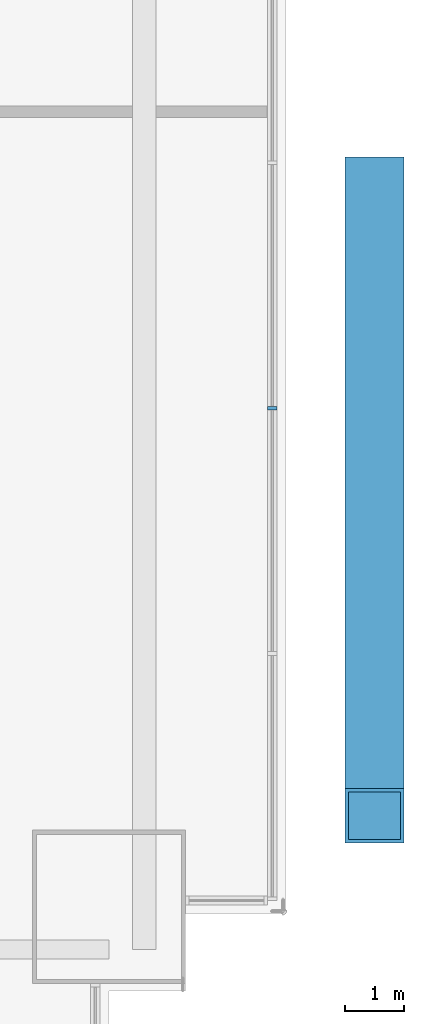
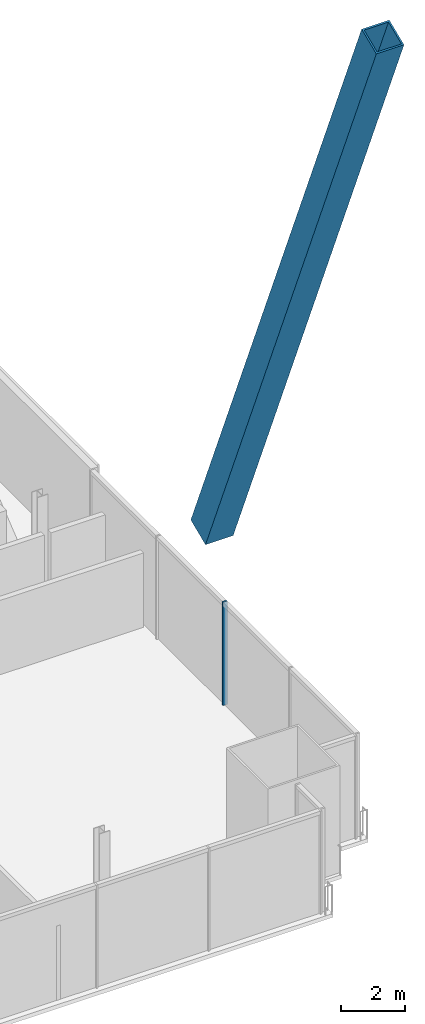
# One storey, part 15 of 24: 2 members, 1 element without a shape of its own.
"""IFC4 building model written with IfcOpenShell, lengths in metres."""

import ifcopenshell
import ifcopenshell.guid

model = None  # the IFC model being written
_history = None  # IfcOwnerHistory: only IFC2X3 demands one
_inside = {}  # id of a spatial element -> (the spatial element, [elements in it])
_under = {}  # id of a project, library or spatial element -> (it, [spatial elements below it])
_declared = {}  # id of a project -> (the project, [libraries it declares])
_typed = {}  # id of a type object -> (the type object, [elements of that type])
_made_of = {}  # id of a material, layer set ... -> (it, [elements and type objects made of it])


def new_model(schema):
    """Start an empty IFC model of exactly this schema.

    Asked for "IFC4X3", IfcOpenShell would pick the latest addendum, in which some entities
    have other attributes; the version numbers below select the first issue.
    IFC2X3 requires an IfcOwnerHistory on every rooted entity: one is made here for all.
    """
    global model, _history
    if schema == "IFC4X3":
        model = ifcopenshell.file(schema_version=(4, 3, 0, 0))
    else:
        model = ifcopenshell.file(schema=schema)
    _inside.clear()
    _under.clear()
    _declared.clear()
    _typed.clear()
    _made_of.clear()
    _history = None
    if model.schema == "IFC2X3":
        org = make("IfcOrganization", Name="unknown")
        user = make(
            "IfcPersonAndOrganization",
            ThePerson=make("IfcPerson", FamilyName="unknown"),
            TheOrganization=org,
        )
        app = make(
            "IfcApplication",
            ApplicationDeveloper=org,
            Version="unknown",
            ApplicationFullName="unknown",
            ApplicationIdentifier="unknown",
        )
        _history = make(
            "IfcOwnerHistory",
            OwningUser=user,
            OwningApplication=app,
            ChangeAction="ADDED",
            CreationDate=0,
        )
    return model


def make(cls, **values):
    """One entity of the class cls with the attributes given. An attribute that is None is left unset."""
    return model.create_entity(
        cls, **{name: value for name, value in values.items() if value is not None}
    )


def rooted(cls, **values):
    """An entity with a GlobalId (a new one), such as an element, a storey or a relation."""
    return make(cls, GlobalId=ifcopenshell.guid.new(), OwnerHistory=_history, **values)


def si_unit(unit_type, name, prefix=None):
    """IfcSIUnit, for example si_unit("LENGTHUNIT", "METRE", prefix="MILLI")."""
    return make("IfcSIUnit", UnitType=unit_type, Prefix=prefix, Name=name)


def assignment(units):
    """IfcUnitAssignment: the units of a project."""
    return None if units is None else make("IfcUnitAssignment", Units=units)


def point(xyz):
    """IfcCartesianPoint."""
    return None if xyz is None else make("IfcCartesianPoint", Coordinates=xyz)


def direction(xyz):
    """IfcDirection."""
    return None if xyz is None else make("IfcDirection", DirectionRatios=xyz)


def frame(location, z_axis=None, x_axis=None):
    """IfcAxis2Placement3D, a coordinate frame: its origin and axes. An axis left out is left unset."""
    return make(
        "IfcAxis2Placement3D",
        Location=point(location),
        Axis=direction(z_axis),
        RefDirection=direction(x_axis),
    )


def frame_2d(location, x_axis=None):
    """IfcAxis2Placement2D, a coordinate frame in the plane: its origin and x axis."""
    return make(
        "IfcAxis2Placement2D", Location=point(location), RefDirection=direction(x_axis)
    )


def origin():
    """The frame at (0, 0, 0) with its axes left unset."""
    return frame((0.0, 0.0, 0.0))


def origin_2d():
    """The frame at (0, 0) in the plane with its x axis left unset."""
    return frame_2d((0.0, 0.0))


def place(relative_to, where):
    """IfcLocalPlacement: puts the frame where relative to a parent placement (None: the world)."""
    return make(
        "IfcLocalPlacement", PlacementRelTo=relative_to, RelativePlacement=where
    )


def context(
    kind, dimensions, precision=None, world=None, true_north=None, identifier=None
):
    """IfcGeometricRepresentationContext, for example the 3D "Model" context."""
    return make(
        "IfcGeometricRepresentationContext",
        ContextIdentifier=identifier,
        ContextType=kind,
        CoordinateSpaceDimension=dimensions,
        Precision=precision,
        WorldCoordinateSystem=world,
        TrueNorth=true_north,
    )


def subcontext(parent, identifier, kind, view, scale=None):
    """IfcGeometricRepresentationSubContext, for example "Body" below "Model"."""
    return make(
        "IfcGeometricRepresentationSubContext",
        ContextIdentifier=identifier,
        ContextType=kind,
        ParentContext=parent,
        TargetScale=scale,
        TargetView=view,
    )


def project(units=None, contexts=None):
    """IfcProject with its units and contexts."""
    return rooted(
        "IfcProject",
        Name="project",
        RepresentationContexts=contexts,
        UnitsInContext=assignment(units),
    )


def spatial(cls, under=None, at=None, **own):
    """A site, building, storey or space (cls), placed at a placement, below another one or the project."""
    s = rooted(cls, ObjectPlacement=at, **own)
    if under is not None:
        _under.setdefault(under.id(), (under, []))[1].append(s)
    return s


def profile(cls, at=None, kind="AREA", **sizes):
    """A parametric profile (cls). Its sizes go by their IFC names, for example OverallWidth=200.0."""
    return make(cls, ProfileType=kind, Position=at, **sizes)


def rectangle(**sizes):
    """IfcRectangleProfileDef."""
    return profile("IfcRectangleProfileDef", **sizes)


def hollow_rectangle(**sizes):
    """IfcRectangleHollowProfileDef."""
    return profile("IfcRectangleHollowProfileDef", **sizes)


def extrude(swept, where, along, depth):
    """IfcExtrudedAreaSolid: the profile swept, set in the frame where, extruded along a direction by depth."""
    return make(
        "IfcExtrudedAreaSolid",
        SweptArea=swept,
        Position=where,
        ExtrudedDirection=direction(along),
        Depth=depth,
    )


def shape(context_of_items, identifier, shape_type, items):
    """IfcShapeRepresentation: the items that make up one representation, for example the "Body"."""
    return make(
        "IfcShapeRepresentation",
        ContextOfItems=context_of_items,
        RepresentationIdentifier=identifier,
        RepresentationType=shape_type,
        Items=items,
    )


def material(Name=None, Category=None):
    """IfcMaterial."""
    return make("IfcMaterial", Name=Name, Category=Category)


def material_profile(
    of_material, cross_section, Name=None, Category=None, Priority=None
):
    """IfcMaterialProfile: a cross section and its material."""
    return make(
        "IfcMaterialProfile",
        Name=Name,
        Material=of_material,
        Profile=cross_section,
        Priority=Priority,
        Category=Category,
    )


def profile_set(profiles, Name=None, composite=None):
    """IfcMaterialProfileSet."""
    return make(
        "IfcMaterialProfileSet",
        Name=Name,
        MaterialProfiles=profiles,
        CompositeProfile=composite,
    )


def made_of(thing, what):
    """Note that an element or type object is made of a material, layer set ...; save() writes the relation."""
    if what is not None:
        _made_of.setdefault(what.id(), (what, []))[1].append(thing)
    return thing


def type_object(cls, material=None, **own):
    """A type object (cls), such as IfcWallType, which elements share."""
    return made_of(rooted(cls, **own), material)


def element(
    cls,
    number,
    at=None,
    inside=None,
    cuts=None,
    type_object=None,
    material=None,
    context=None,
    identifier="Body",
    shape_type=None,
    held_by="IfcProductDefinitionShape",
    body=None,
    shapes=None,
    **own,
):
    """One element of the class cls, such as IfcWall. Its Tag is "e" and its number.

    at: its placement. inside: the storey or other place that contains it. cuts: it is an
    opening in that element (IfcRelVoidsElement). A single representation is given by context,
    identifier, shape_type and body (its items); several are given by shapes. held_by: the class
    of the entity that holds the representations. save() writes the other relations.
    """
    e = rooted(cls, Tag="e%d" % number, ObjectPlacement=at, **own)
    if body is not None:
        shapes = [shape(context, identifier, shape_type, body)]
    if shapes is not None:
        e.Representation = make(held_by, Representations=shapes)
    if inside is not None:
        _inside.setdefault(inside.id(), (inside, []))[1].append(e)
    if cuts is not None:
        rooted(
            "IfcRelVoidsElement", RelatingBuildingElement=cuts, RelatedOpeningElement=e
        )
    if type_object is not None:
        _typed.setdefault(type_object.id(), (type_object, []))[1].append(e)
    return made_of(e, material)


def aggregate(whole, parts):
    """IfcRelAggregates: a whole, such as a stair, and the parts it consists of."""
    return rooted("IfcRelAggregates", RelatingObject=whole, RelatedObjects=parts)


def save(model, path):
    """Write the relations noted so far, then the file.

    IfcRelAggregates (storeys below a building ...), IfcRelContainedInSpatialStructure (elements
    in a storey), IfcRelDefinesByType, IfcRelAssociatesMaterial and IfcRelDeclares: one each for
    every whole, place, type object, material and project.
    """
    for whole, parts in _under.values():
        aggregate(whole, parts)
    for where, things in _inside.values():
        rooted(
            "IfcRelContainedInSpatialStructure",
            RelatedElements=things,
            RelatingStructure=where,
        )
    for kind, things in _typed.values():
        rooted("IfcRelDefinesByType", RelatedObjects=things, RelatingType=kind)
    for what, things in _made_of.values():
        rooted("IfcRelAssociatesMaterial", RelatedObjects=things, RelatingMaterial=what)
    for by, libraries in _declared.values():
        rooted("IfcRelDeclares", RelatingContext=by, RelatedDefinitions=libraries)
    model.write(path)


model = new_model("IFC4")

# Units and contexts
model_context = context("Model", 3, precision=1e-05, world=origin(), true_north=direction((0.0, 1.0)))
body_context = subcontext(model_context, "Body", "Model", "MODEL_VIEW")
ifc_project = project(units=[si_unit("LENGTHUNIT", "METRE"), si_unit("AREAUNIT", "SQUARE_METRE"), si_unit("VOLUMEUNIT", "CUBIC_METRE"), si_unit("PLANEANGLEUNIT", "RADIAN"), si_unit("MASSUNIT", "GRAM", prefix="KILO")], contexts=[model_context])

# Site, building, storey
site_placement = place(None, origin())
site = spatial("IfcSite", under=ifc_project, at=site_placement, CompositionType="ELEMENT")
building_placement = place(site_placement, origin())
building = spatial("IfcBuilding", under=site, at=building_placement, Name="Bicima Exchange Tower", CompositionType="ELEMENT")
storey_placement = place(building_placement, frame((0.0, 0.0, 211.39990234375)))
storey = spatial("IfcBuildingStorey", under=building, at=storey_placement, Name="L47", CompositionType="ELEMENT", Elevation=211.39990234375)

# Curtain wall, member
ifc_material_1 = material(Name="Anodised bronze aluminium", Category="aluminium")
curtain_wall_type = type_object("IfcCurtainWallType", Name="End face glass wall", PredefinedType="NOTDEFINED", material=ifc_material_1)
curtain_wall_placement = place(storey_placement, origin())
curtain_wall = element("IfcCurtainWall", 1, at=curtain_wall_placement, inside=storey, type_object=curtain_wall_type, Name="End face glass wall L47 run 19", PredefinedType="NOTDEFINED")
ifc_material_profile_1 = material_profile(ifc_material_1, rectangle(XDim=0.159912109375, YDim=0.06005859375, at=origin_2d()))
ifc_profile_set_1 = profile_set([ifc_material_profile_1], Name="Anodised bronze aluminium")
member_type_1 = type_object("IfcMemberType", Name="End face glass wall mullion 60 x 160", PredefinedType="MULLION", material=ifc_profile_set_1)
member_1_placement = place(storey_placement, frame((35.77001953125, -20.423095703125, 0.0), z_axis=(0.0, 0.0, 1.0), x_axis=(-1.0, 0.0, 0.0)))
member_1 = element("IfcMember", 2, at=member_1_placement, type_object=member_type_1, Name="End face glass wall mullion 3", PredefinedType="MULLION", context=body_context, shape_type="SweptSolid", body=[
    extrude(rectangle(XDim=0.159912109375, YDim=0.06005859375, at=origin_2d()), origin(), (0.0, 0.0, 1.0), 3.9501953125),
])
aggregate(curtain_wall, [member_1])

# Member
ifc_material_2 = material(Name="Steel ASTM A572 Gr 50", Category="steel")
ifc_material_profile_2 = material_profile(ifc_material_2, hollow_rectangle(XDim=1.0, YDim=1.0, WallThickness=0.06005859375, at=origin_2d()))
ifc_profile_set_2 = profile_set([ifc_material_profile_2], Name="Steel ASTM A572 Gr 50")
member_type_2 = type_object("IfcMemberType", Name="Exo mega brace BOX 1000x1000x60", PredefinedType="BRACE", material=ifc_profile_set_2)
member_2_placement = place(storey_placement, frame((37.5, -16.62841796875, 3.85009765625), z_axis=(0.0, -0.390181270481, 0.920738060561), x_axis=(1.0, 0.0, 0.0)))
element("IfcMember", 3, at=member_2_placement, inside=storey, type_object=member_type_2, Name="Exo mega brace end", PredefinedType="BRACE", context=body_context, shape_type="SweptSolid", body=[
    extrude(hollow_rectangle(XDim=1.0, YDim=1.0, WallThickness=0.06005859375, at=origin_2d()), origin(), (0.0, 0.0, 1.0), 27.423583984375),
])

save(model, "model.ifc")
